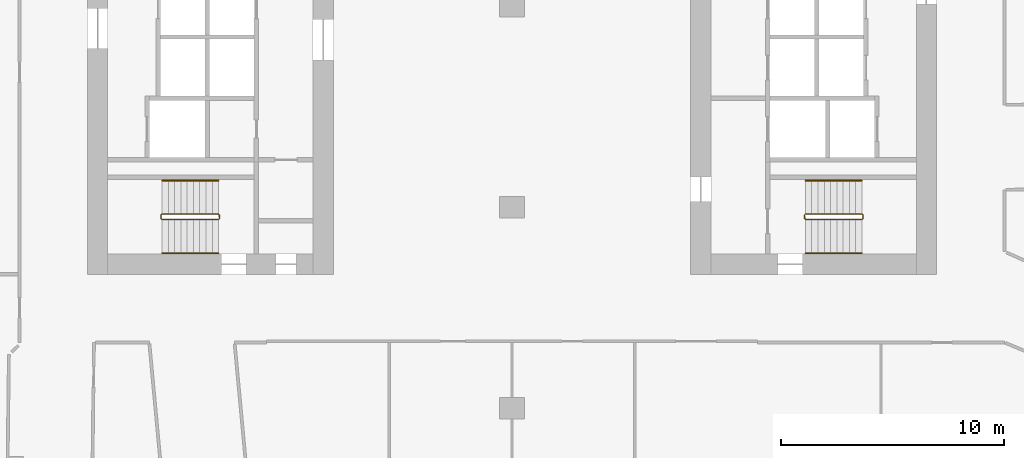
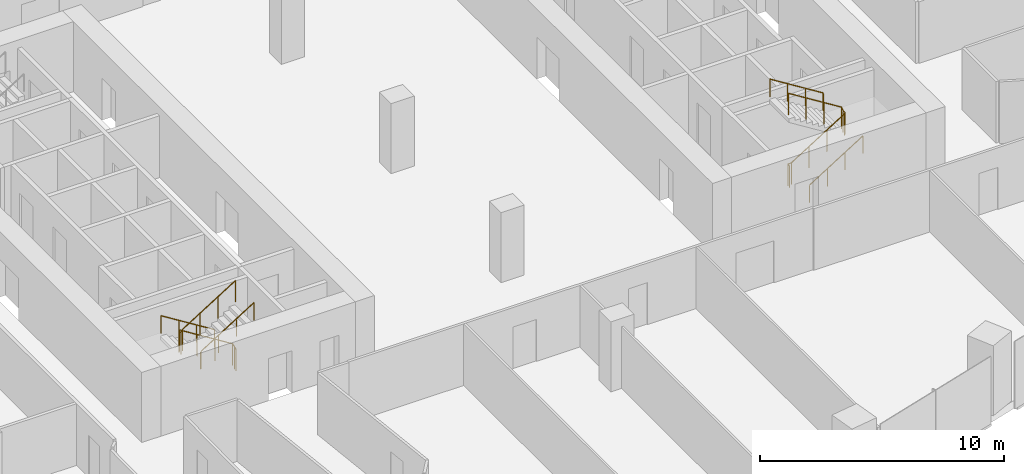
# One storey, part 29 of 31: 6 railings.
"""IFC4 building model written with IfcOpenShell, lengths in metres."""

from ifc_helpers import new_model, si_unit, direction, frame, origin, origin_2d, place, context, subcontext, project, spatial, circle, extrude, material, type_object, element, save


model = new_model("IFC4")

# Units and contexts
model_context = context("Model", 3, precision=1e-05, world=origin(), true_north=direction((0.0, 1.0)))
body_context = subcontext(model_context, "Body", "Model", "MODEL_VIEW")
ifc_project = project(units=[si_unit("LENGTHUNIT", "METRE"), si_unit("AREAUNIT", "SQUARE_METRE"), si_unit("VOLUMEUNIT", "CUBIC_METRE"), si_unit("PLANEANGLEUNIT", "RADIAN"), si_unit("MASSUNIT", "GRAM", prefix="KILO")], contexts=[model_context])

# Site, building, storey
site_placement = place(None, origin())
site = spatial("IfcSite", under=ifc_project, at=site_placement, CompositionType="ELEMENT")
building_placement = place(site_placement, origin())
building = spatial("IfcBuilding", under=site, at=building_placement, Name="Orlundy Tower", CompositionType="ELEMENT")
storey_placement = place(building_placement, frame((0.0, 0.0, 91.199951171875)))
storey = spatial("IfcBuildingStorey", under=building, at=storey_placement, Name="L22", CompositionType="ELEMENT", Elevation=91.199951171875)

# Railings
ifc_material_1 = material(Name="Steel balustrade", Category="steel")
railing_type_1 = type_object("IfcRailingType", Name="Stair Guard 1100", PredefinedType="GUARDRAIL", material=ifc_material_1)
railing_1_placement = place(storey_placement, frame((-13.090087890625, -9.35009765625, 0.0)))
element("IfcRailing", 1, at=railing_1_placement, inside=storey, type_object=railing_type_1, Name="L22 ST-W2 stair guard 1", PredefinedType="GUARDRAIL", context=body_context, shape_type="SweptSolid", body=[
    extrude(circle(Radius=0.02392578125, at=origin_2d()), frame((0.0, 0.0, 1.076171875), z_axis=(0.0, -1.0, 0.0), x_axis=(1.0, 0.0, 0.0)), (0.0, 0.0, 1.0), 0.14990234375),
    extrude(circle(Radius=0.02392578125, at=origin_2d()), frame((0.0, -0.14990234375, 1.076171875), z_axis=(-0.18420542264, 0.739530593833, 0.647427882513), x_axis=(-0.970351222016, -0.241699205484, 0.0)), (0.0, 0.0, 1.0), 0.270263671875),
    extrude(circle(Radius=0.02392578125, at=origin_2d()), frame((-0.0498046875, 0.050048828125, 1.2509765625), z_axis=(-0.848007534815, 0.0, 0.529984170421), x_axis=(0.0, -1.0, 0.0)), (0.0, 0.0, 1.0), 2.9716796875),
    extrude(circle(Radius=0.02392578125, at=origin_2d()), frame((-2.56982421875, 0.050048828125, 2.826171875), z_axis=(-0.707106781187, -0.707106781187, 0.0), x_axis=(0.707106781187, -0.707106781187, 0.0)), (0.0, 0.0, 1.0), 0.07080078125),
    extrude(circle(Radius=0.02392578125, at=origin_2d()), frame((-2.619873046875, 0.0, 2.826171875), z_axis=(0.0, -1.0, 0.0), x_axis=(1.0, 0.0, 0.0)), (0.0, 0.0, 1.0), 0.14990234375),
    extrude(circle(Radius=0.02392578125, at=origin_2d()), frame((-2.619873046875, -0.14990234375, 2.826171875), z_axis=(0.265065253269, -0.265065253269, 0.927081885822), x_axis=(0.707106781187, 0.707106781187, 0.0)), (0.0, 0.0, 1.0), 0.188720703125),
    extrude(circle(Radius=0.02392578125, at=origin_2d()), frame((-2.56982421875, -0.199951171875, 3.0009765625), z_axis=(0.848007534815, 0.0, 0.529984170421), x_axis=(0.0, 1.0, 0.0)), (0.0, 0.0, 1.0), 2.9716796875),
    extrude(circle(Radius=0.02099609375, at=origin_2d()), origin(), (0.0, 0.0, 1.0), 1.052001953125),
    extrude(circle(Radius=0.02099609375, at=origin_2d()), frame((0.0, -0.14990234375, 0.0)), (0.0, 0.0, 1.0), 1.052001953125),
    extrude(circle(Radius=0.02099609375, at=origin_2d()), frame((-0.0498046875, 0.050048828125, 0.175048828125)), (0.0, 0.0, 1.0), 1.052001953125),
    extrude(circle(Radius=0.02099609375, at=origin_2d()), frame((-0.889892578125, 0.050048828125, 0.699951171875)), (0.0, 0.0, 1.0), 1.052001953125),
    extrude(circle(Radius=0.02099609375, at=origin_2d()), frame((-1.729736328125, 0.050048828125, 1.22509765625)), (0.0, 0.0, 1.0), 1.052001953125),
    extrude(circle(Radius=0.02099609375, at=origin_2d()), frame((-2.56982421875, 0.050048828125, 1.75)), (0.0, 0.0, 1.0), 1.052001953125),
    extrude(circle(Radius=0.02099609375, at=origin_2d()), frame((-2.619873046875, 0.0, 1.75)), (0.0, 0.0, 1.0), 1.052001953125),
    extrude(circle(Radius=0.02099609375, at=origin_2d()), frame((-2.619873046875, -0.14990234375, 1.75)), (0.0, 0.0, 1.0), 1.052001953125),
    extrude(circle(Radius=0.02099609375, at=origin_2d()), frame((-2.56982421875, -0.199951171875, 1.925048828125)), (0.0, 0.0, 1.0), 1.052001953125),
    extrude(circle(Radius=0.02099609375, at=origin_2d()), frame((-1.729736328125, -0.199951171875, 2.449951171875)), (0.0, 0.0, 1.0), 1.052001953125),
    extrude(circle(Radius=0.02099609375, at=origin_2d()), frame((-0.889892578125, -0.199951171875, 2.97509765625)), (0.0, 0.0, 1.0), 1.052001953125),
    extrude(circle(Radius=0.02099609375, at=origin_2d()), frame((-0.0498046875, -0.199951171875, 3.5)), (0.0, 0.0, 1.0), 1.052001953125),
])
railing_2_placement = place(storey_placement, frame((13.090087890625, -9.5, 0.0)))
element("IfcRailing", 2, at=railing_2_placement, inside=storey, type_object=railing_type_1, Name="L22 ST-E1 stair guard 1", PredefinedType="GUARDRAIL", context=body_context, shape_type="SweptSolid", body=[
    extrude(circle(Radius=0.02392578125, at=origin_2d()), frame((0.0, 0.0, 1.076171875), z_axis=(0.0, 1.0, 0.0), x_axis=(-1.0, 0.0, 0.0)), (0.0, 0.0, 1.0), 0.14990234375),
    extrude(circle(Radius=0.02392578125, at=origin_2d()), frame((0.0, 0.14990234375, 1.076171875), z_axis=(0.18420542264, -0.739530593833, 0.647427882513), x_axis=(0.970351222016, 0.241699205484, 0.0)), (0.0, 0.0, 1.0), 0.270263671875),
    extrude(circle(Radius=0.02392578125, at=origin_2d()), frame((0.0498046875, -0.050048828125, 1.2509765625), z_axis=(0.848007534815, 0.0, 0.529984170421), x_axis=(0.0, 1.0, 0.0)), (0.0, 0.0, 1.0), 2.9716796875),
    extrude(circle(Radius=0.02392578125, at=origin_2d()), frame((2.56982421875, -0.050048828125, 2.826171875), z_axis=(0.707106781187, 0.707106781187, 0.0), x_axis=(-0.707106781187, 0.707106781187, 0.0)), (0.0, 0.0, 1.0), 0.07080078125),
    extrude(circle(Radius=0.02392578125, at=origin_2d()), frame((2.619873046875, 0.0, 2.826171875), z_axis=(0.0, 1.0, 0.0), x_axis=(-1.0, 0.0, 0.0)), (0.0, 0.0, 1.0), 0.14990234375),
    extrude(circle(Radius=0.02392578125, at=origin_2d()), frame((2.619873046875, 0.14990234375, 2.826171875), z_axis=(-0.265065253269, 0.265065253269, 0.927081885822), x_axis=(-0.707106781187, -0.707106781187, 0.0)), (0.0, 0.0, 1.0), 0.188720703125),
    extrude(circle(Radius=0.02392578125, at=origin_2d()), frame((2.56982421875, 0.199951171875, 3.0009765625), z_axis=(-0.848007534815, 0.0, 0.529984170421), x_axis=(0.0, -1.0, 0.0)), (0.0, 0.0, 1.0), 2.9716796875),
    extrude(circle(Radius=0.02099609375, at=origin_2d()), origin(), (0.0, 0.0, 1.0), 1.052001953125),
    extrude(circle(Radius=0.02099609375, at=origin_2d()), frame((0.0, 0.14990234375, 0.0)), (0.0, 0.0, 1.0), 1.052001953125),
    extrude(circle(Radius=0.02099609375, at=origin_2d()), frame((0.0498046875, -0.050048828125, 0.175048828125)), (0.0, 0.0, 1.0), 1.052001953125),
    extrude(circle(Radius=0.02099609375, at=origin_2d()), frame((0.889892578125, -0.050048828125, 0.699951171875)), (0.0, 0.0, 1.0), 1.052001953125),
    extrude(circle(Radius=0.02099609375, at=origin_2d()), frame((1.729736328125, -0.050048828125, 1.22509765625)), (0.0, 0.0, 1.0), 1.052001953125),
    extrude(circle(Radius=0.02099609375, at=origin_2d()), frame((2.56982421875, -0.050048828125, 1.75)), (0.0, 0.0, 1.0), 1.052001953125),
    extrude(circle(Radius=0.02099609375, at=origin_2d()), frame((2.619873046875, 0.0, 1.75)), (0.0, 0.0, 1.0), 1.052001953125),
    extrude(circle(Radius=0.02099609375, at=origin_2d()), frame((2.619873046875, 0.14990234375, 1.75)), (0.0, 0.0, 1.0), 1.052001953125),
    extrude(circle(Radius=0.02099609375, at=origin_2d()), frame((2.56982421875, 0.199951171875, 1.925048828125)), (0.0, 0.0, 1.0), 1.052001953125),
    extrude(circle(Radius=0.02099609375, at=origin_2d()), frame((1.729736328125, 0.199951171875, 2.449951171875)), (0.0, 0.0, 1.0), 1.052001953125),
    extrude(circle(Radius=0.02099609375, at=origin_2d()), frame((0.889892578125, 0.199951171875, 2.97509765625)), (0.0, 0.0, 1.0), 1.052001953125),
    extrude(circle(Radius=0.02099609375, at=origin_2d()), frame((0.0498046875, 0.199951171875, 3.5)), (0.0, 0.0, 1.0), 1.052001953125),
])
ifc_material_2 = material(Name="Steel handrail", Category="steel")
railing_type_2 = type_object("IfcRailingType", Name="Stair Handrail 900", PredefinedType="HANDRAIL", material=ifc_material_2)
railing_3_placement = place(storey_placement, frame((-13.139892578125, -7.800048828125, 0.175048828125)))
element("IfcRailing", 3, at=railing_3_placement, inside=storey, type_object=railing_type_2, Name="L22 ST-W2 stair handrail 1", PredefinedType="HANDRAIL", context=body_context, shape_type="SweptSolid", body=[
    extrude(circle(Radius=0.02392578125, at=origin_2d()), frame((0.0, 0.0, 0.8759765625), z_axis=(-0.848007534815, 0.0, 0.529984170421), x_axis=(0.0, -1.0, 0.0)), (0.0, 0.0, 1.0), 2.9716796875),
    extrude(circle(Radius=0.02099609375, at=origin_2d()), origin(), (0.0, 0.0, 1.0), 0.851806640625),
    extrude(circle(Radius=0.02099609375, at=origin_2d()), frame((-0.840087890625, 0.0, 0.52490234375)), (0.0, 0.0, 1.0), 0.851806640625),
    extrude(circle(Radius=0.02099609375, at=origin_2d()), frame((-1.679931640625, 0.0, 1.050048828125)), (0.0, 0.0, 1.0), 0.851806640625),
    extrude(circle(Radius=0.02099609375, at=origin_2d()), frame((-2.52001953125, 0.0, 1.574951171875)), (0.0, 0.0, 1.0), 0.851806640625),
])
for number, where, name in (
    (4, (-15.659912109375, -11.050048828125, 1.925048828125), "L22 ST-W2 stair handrail 2"),
    (5, (13.139892578125, -11.050048828125, 0.175048828125), "L22 ST-E1 stair handrail 1"),
):
    element("IfcRailing", number, at=place(storey_placement, frame(where)), inside=storey, type_object=railing_type_2, Name=name, PredefinedType="HANDRAIL", context=body_context, shape_type="SweptSolid", body=[
        extrude(circle(Radius=0.02392578125, at=origin_2d()), frame((0.0, 0.0, 0.8759765625), z_axis=(0.848007534815, 0.0, 0.529984170421), x_axis=(0.0, 1.0, 0.0)), (0.0, 0.0, 1.0), 2.9716796875),
        extrude(circle(Radius=0.02099609375, at=origin_2d()), origin(), (0.0, 0.0, 1.0), 0.851806640625),
        extrude(circle(Radius=0.02099609375, at=origin_2d()), frame((0.840087890625, 0.0, 0.52490234375)), (0.0, 0.0, 1.0), 0.851806640625),
        extrude(circle(Radius=0.02099609375, at=origin_2d()), frame((1.679931640625, 0.0, 1.050048828125)), (0.0, 0.0, 1.0), 0.851806640625),
        extrude(circle(Radius=0.02099609375, at=origin_2d()), frame((2.52001953125, 0.0, 1.574951171875)), (0.0, 0.0, 1.0), 0.851806640625),
    ])
railing_4_placement = place(storey_placement, frame((15.659912109375, -7.800048828125, 1.925048828125)))
element("IfcRailing", 6, at=railing_4_placement, inside=storey, type_object=railing_type_2, Name="L22 ST-E1 stair handrail 2", PredefinedType="HANDRAIL", context=body_context, shape_type="SweptSolid", body=[
    extrude(circle(Radius=0.02392578125, at=origin_2d()), frame((0.0, 0.0, 0.8759765625), z_axis=(-0.848007534815, 0.0, 0.529984170421), x_axis=(0.0, -1.0, 0.0)), (0.0, 0.0, 1.0), 2.9716796875),
    extrude(circle(Radius=0.02099609375, at=origin_2d()), origin(), (0.0, 0.0, 1.0), 0.851806640625),
    extrude(circle(Radius=0.02099609375, at=origin_2d()), frame((-0.840087890625, 0.0, 0.52490234375)), (0.0, 0.0, 1.0), 0.851806640625),
    extrude(circle(Radius=0.02099609375, at=origin_2d()), frame((-1.679931640625, 0.0, 1.050048828125)), (0.0, 0.0, 1.0), 0.851806640625),
    extrude(circle(Radius=0.02099609375, at=origin_2d()), frame((-2.52001953125, 0.0, 1.574951171875)), (0.0, 0.0, 1.0), 0.851806640625),
])

save(model, "model.ifc")
